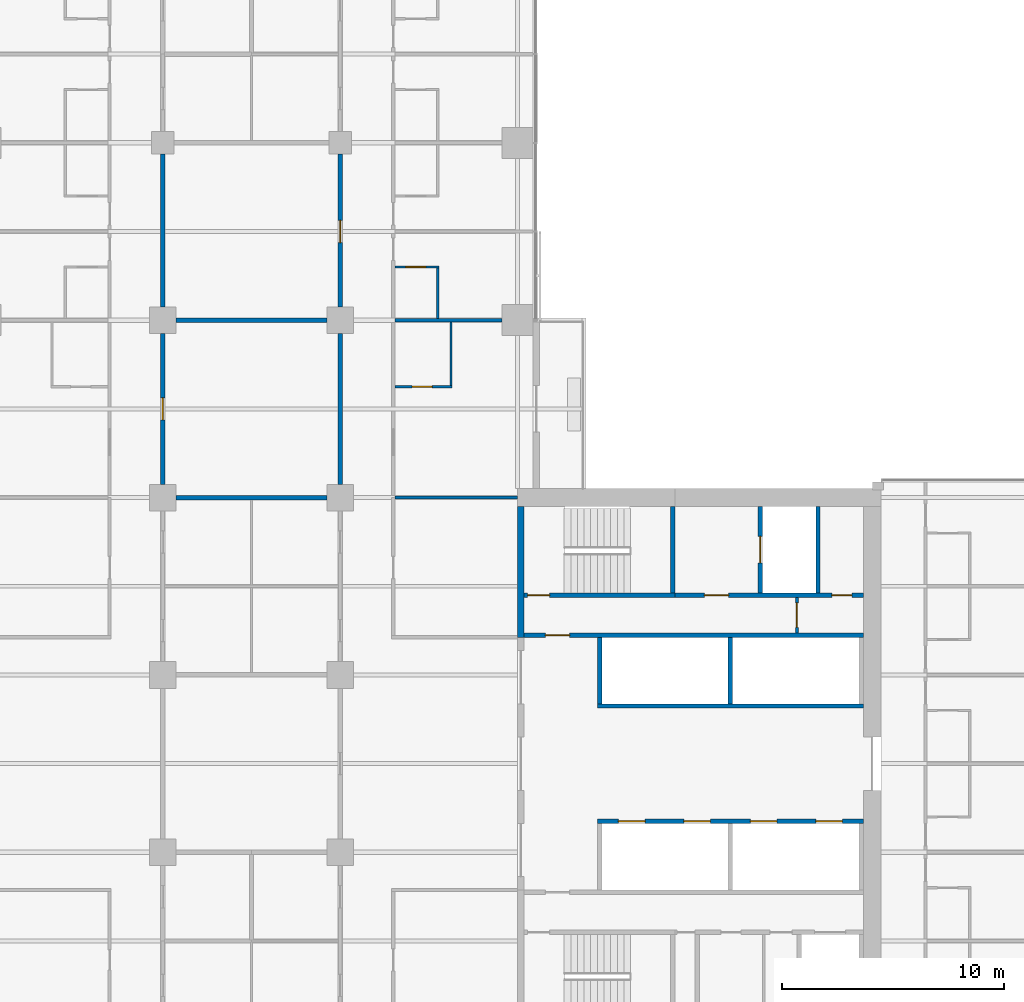
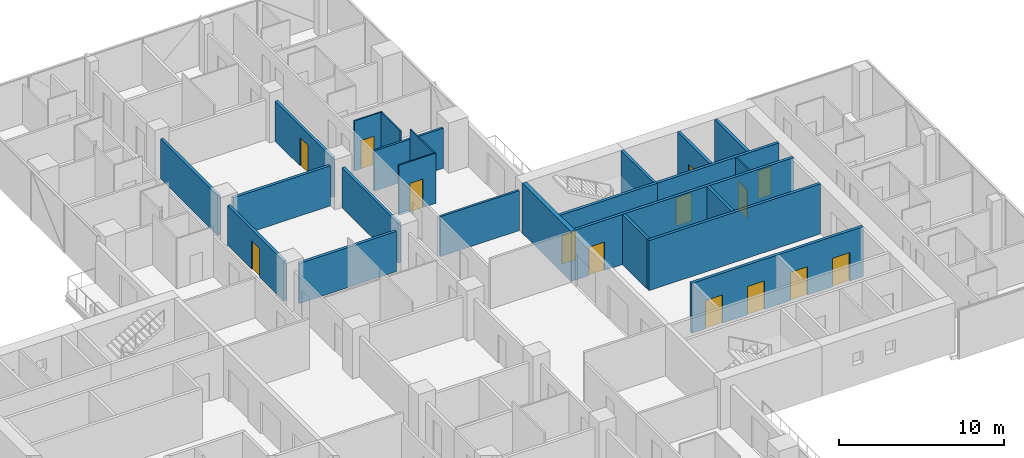
# One storey, part 21 of 29: 24 walls, 14 doors, 14 openings.
"""IFC4 building model written with IfcOpenShell, lengths in metres."""

from ifc_helpers import new_model, si_unit, direction, frame, frame_2d, origin, place, context, subcontext, project, spatial, rectangle, extrude, material, layer, layer_set, type_object, element, fill, save


model = new_model("IFC4")

# Units and contexts
model_context = context("Model", 3, precision=1e-05, world=origin(), true_north=direction((0.0, 1.0)))
body_context = subcontext(model_context, "Body", "Model", "MODEL_VIEW")
ifc_project = project(units=[si_unit("LENGTHUNIT", "METRE"), si_unit("AREAUNIT", "SQUARE_METRE"), si_unit("VOLUMEUNIT", "CUBIC_METRE"), si_unit("PLANEANGLEUNIT", "RADIAN"), si_unit("MASSUNIT", "GRAM", prefix="KILO")], contexts=[model_context])

# Site, building, storey
site_placement = place(None, origin())
site = spatial("IfcSite", under=ifc_project, at=site_placement, CompositionType="ELEMENT")
building_placement = place(site_placement, origin())
building = spatial("IfcBuilding", under=site, at=building_placement, Name="Crosswind Convention Tower", CompositionType="ELEMENT")
storey_placement = place(building_placement, frame((0.0, 0.0, 53.5)))
storey = spatial("IfcBuildingStorey", under=building, at=storey_placement, Name="L07", CompositionType="ELEMENT", Elevation=53.5)

# Walls
ifc_material_1 = material(Name="Concrete C50/60", Category="concrete")
ifc_layer_1 = layer(ifc_material_1, 0.300048828125)
ifc_layer_set_1 = layer_set([ifc_layer_1], Name="Concrete C50/60")
wall_type_1 = type_object("IfcWallType", Name="Concrete inner core wall 300", PredefinedType="SHEAR", material=ifc_layer_set_1)
wall_1_placement = place(storey_placement, frame((137.14990234375, 105.699951171875, 0.0), z_axis=(0.0, 0.0, 1.0), x_axis=(0.0, 1.0, 0.0)))
element("IfcWall", 1, at=wall_1_placement, inside=storey, type_object=wall_type_1, Name="Wall EP E L07", PredefinedType="SHEAR", context=body_context, shape_type="SweptSolid", body=[
    extrude(rectangle(XDim=5.900146484375, YDim=0.300048828125, at=frame_2d((2.9501953125, 0.0))), origin(), (0.0, 0.0, 1.0), 3.699951171875),
])
ifc_layer_2 = layer(ifc_material_1, 0.199951171875)
ifc_layer_set_2 = layer_set([ifc_layer_2], Name="Concrete C50/60")
wall_type_2 = type_object("IfcWallType", Name="Concrete shaft and stair wall 200", PredefinedType="SHEAR", material=ifc_layer_set_2)
for number, where, z_axis, x_axis, name in (
    (2, (140.699951171875, 102.699951171875, 0.0), (0.0, 0.0, 1.0), (0.0, 1.0, 0.0), "Wall RPEND E L07"),
    (3, (146.60009765625, 102.699951171875, 0.0), (0.0, 0.0, 1.0), (0.0, 1.0, 0.0), "Wall RPSEP E L07"),
):
    element("IfcWall", number, at=place(storey_placement, frame(where, z_axis=z_axis, x_axis=x_axis)), inside=storey, type_object=wall_type_2, Name=name, PredefinedType="SHEAR", context=body_context, shape_type="SweptSolid", body=[
        extrude(rectangle(XDim=3.0, YDim=0.199951171875, at=frame_2d((1.5, 0.0))), origin(), (0.0, 0.0, 1.0), 3.699951171875),
    ])
wall_2_placement = place(storey_placement, frame((140.60009765625, 102.60009765625, 0.0), z_axis=(0.0, 0.0, 1.0), x_axis=(1.0, 0.0, 0.0)))
element("IfcWall", 4, at=wall_2_placement, inside=storey, type_object=wall_type_2, Name="Wall RPFRONT E L07", PredefinedType="SHEAR", context=body_context, shape_type="SweptSolid", body=[
    extrude(rectangle(XDim=12.0, YDim=0.199951171875, at=frame_2d((6.0, 0.0))), origin(), (0.0, 0.0, 1.0), 3.699951171875),
])

# Wall, openings, doors
wall_3_placement = place(storey_placement, frame((140.60009765625, 97.39990234375, 0.0), z_axis=(0.0, 0.0, 1.0), x_axis=(1.0, 0.0, 0.0)))
wall_3 = element("IfcWall", 5, at=wall_3_placement, inside=storey, type_object=wall_type_2, Name="Wall RMFRONT E L07", PredefinedType="SHEAR", context=body_context, shape_type="SweptSolid", body=[
    extrude(rectangle(XDim=12.0, YDim=0.199951171875, at=frame_2d((6.0, 0.0))), origin(), (0.0, 0.0, 1.0), 3.699951171875),
])
opening_1_placement = place(wall_3_placement, frame((0.949951171875, 0.0, 0.0)))
opening_1 = element("IfcOpeningElement", 6, at=opening_1_placement, cuts=wall_3, Name="Opening LD1", PredefinedType="OPENING", context=body_context, shape_type="SweptSolid", body=[
    extrude(rectangle(XDim=1.199951171875, YDim=2.10009765625, at=frame_2d((0.60009765625, 1.050048828125))), frame((0.0, 0.10986328125, 0.0), z_axis=(0.0, -1.0, 0.0), x_axis=(1.0, 0.0, 0.0)), (0.0, 0.0, 1.0), 0.219970703125),
])
opening_2_placement = place(wall_3_placement, frame((3.89990234375, 0.0, 0.0)))
opening_2 = element("IfcOpeningElement", 7, at=opening_2_placement, cuts=wall_3, Name="Opening LD1", PredefinedType="OPENING", context=body_context, shape_type="SweptSolid", body=[
    extrude(rectangle(XDim=1.199951171875, YDim=2.10009765625, at=frame_2d((0.60009765625, 1.050048828125))), frame((0.0, 0.10986328125, 0.0), z_axis=(0.0, -1.0, 0.0), x_axis=(1.0, 0.0, 0.0)), (0.0, 0.0, 1.0), 0.219970703125),
])
opening_3_placement = place(wall_3_placement, frame((6.89990234375, 0.0, 0.0)))
opening_3 = element("IfcOpeningElement", 8, at=opening_3_placement, cuts=wall_3, Name="Opening LD1", PredefinedType="OPENING", context=body_context, shape_type="SweptSolid", body=[
    extrude(rectangle(XDim=1.199951171875, YDim=2.10009765625, at=frame_2d((0.60009765625, 1.050048828125))), frame((0.0, 0.10986328125, 0.0), z_axis=(0.0, -1.0, 0.0), x_axis=(1.0, 0.0, 0.0)), (0.0, 0.0, 1.0), 0.219970703125),
])
opening_4_placement = place(wall_3_placement, frame((9.85009765625, 0.0, 0.0)))
opening_4 = element("IfcOpeningElement", 9, at=opening_4_placement, cuts=wall_3, Name="Opening LD1", PredefinedType="OPENING", context=body_context, shape_type="SweptSolid", body=[
    extrude(rectangle(XDim=1.199951171875, YDim=2.10009765625, at=frame_2d((0.60009765625, 1.050048828125))), frame((0.0, 0.10986328125, 0.0), z_axis=(0.0, -1.0, 0.0), x_axis=(1.0, 0.0, 0.0)), (0.0, 0.0, 1.0), 0.219970703125),
])
ifc_material_2 = material(Name="Stainless steel", Category="steel")
door_type_1 = type_object("IfcDoorType", Name="Lift landing door 1200x2100", OperationType="DOUBLE_DOOR_SLIDING", PredefinedType="DOOR", material=ifc_material_2)
door_1_placement = place(opening_1_placement, origin())
door_1 = element("IfcDoor", 10, at=door_1_placement, inside=storey, type_object=door_type_1, Name="Landing door H1 L07", ObjectType="LD1", OperationType="DOUBLE_DOOR_SLIDING", OverallHeight=2.10009765625, OverallWidth=1.199951171875, PredefinedType="DOOR", context=body_context, shape_type="SweptSolid", body=[
    extrude(rectangle(XDim=1.199951171875, YDim=2.10009765625, at=frame_2d((0.60009765625, 1.050048828125))), frame((0.0, 0.02490234375, 0.0), z_axis=(0.0, -1.0, 0.0), x_axis=(1.0, 0.0, 0.0)), (0.0, 0.0, 1.0), 0.050048828125),
])
fill(opening_1, door_1)
door_2_placement = place(opening_2_placement, origin())
door_2 = element("IfcDoor", 11, at=door_2_placement, inside=storey, type_object=door_type_1, Name="Landing door H2 L07", ObjectType="LD1", OperationType="DOUBLE_DOOR_SLIDING", OverallHeight=2.10009765625, OverallWidth=1.199951171875, PredefinedType="DOOR", context=body_context, shape_type="SweptSolid", body=[
    extrude(rectangle(XDim=1.199951171875, YDim=2.10009765625, at=frame_2d((0.60009765625, 1.050048828125))), frame((0.0, 0.02490234375, 0.0), z_axis=(0.0, -1.0, 0.0), x_axis=(1.0, 0.0, 0.0)), (0.0, 0.0, 1.0), 0.050048828125),
])
fill(opening_2, door_2)
door_3_placement = place(opening_3_placement, origin())
door_3 = element("IfcDoor", 12, at=door_3_placement, inside=storey, type_object=door_type_1, Name="Landing door H3 L07", ObjectType="LD1", OperationType="DOUBLE_DOOR_SLIDING", OverallHeight=2.10009765625, OverallWidth=1.199951171875, PredefinedType="DOOR", context=body_context, shape_type="SweptSolid", body=[
    extrude(rectangle(XDim=1.199951171875, YDim=2.10009765625, at=frame_2d((0.60009765625, 1.050048828125))), frame((0.0, 0.02490234375, 0.0), z_axis=(0.0, -1.0, 0.0), x_axis=(1.0, 0.0, 0.0)), (0.0, 0.0, 1.0), 0.050048828125),
])
fill(opening_3, door_3)
door_4_placement = place(opening_4_placement, origin())
door_4 = element("IfcDoor", 13, at=door_4_placement, inside=storey, type_object=door_type_1, Name="Landing door H4 L07", ObjectType="LD1", OperationType="DOUBLE_DOOR_SLIDING", OverallHeight=2.10009765625, OverallWidth=1.199951171875, PredefinedType="DOOR", context=body_context, shape_type="SweptSolid", body=[
    extrude(rectangle(XDim=1.199951171875, YDim=2.10009765625, at=frame_2d((0.60009765625, 1.050048828125))), frame((0.0, 0.02490234375, 0.0), z_axis=(0.0, -1.0, 0.0), x_axis=(1.0, 0.0, 0.0)), (0.0, 0.0, 1.0), 0.050048828125),
])
fill(opening_4, door_4)

# Wall, opening, door
wall_4_placement = place(storey_placement, frame((137.300048828125, 105.800048828125, 0.0), z_axis=(0.0, 0.0, 1.0), x_axis=(1.0, 0.0, 0.0)))
wall_4 = element("IfcWall", 14, at=wall_4_placement, inside=storey, type_object=wall_type_2, Name="Wall HP E L07", PredefinedType="SHEAR", context=body_context, shape_type="SweptSolid", body=[
    extrude(rectangle(XDim=15.300048828125, YDim=0.199951171875, at=frame_2d((7.64990234375, 0.0))), origin(), (0.0, 0.0, 1.0), 3.699951171875),
])
opening_5_placement = place(wall_4_placement, frame((0.949951171875, 0.0, 0.0)))
opening_5 = element("IfcOpeningElement", 15, at=opening_5_placement, cuts=wall_4, Name="Opening D104", PredefinedType="OPENING", context=body_context, shape_type="SweptSolid", body=[
    extrude(rectangle(XDim=1.10009765625, YDim=2.10009765625, at=frame_2d((0.550048828125, 1.050048828125))), frame((0.0, 0.10986328125, 0.0), z_axis=(0.0, -1.0, 0.0), x_axis=(1.0, 0.0, 0.0)), (0.0, 0.0, 1.0), 0.219970703125),
])
ifc_material_3 = material(Name="Steel fire door", Category="steel")
door_type_2 = type_object("IfcDoorType", Name="Fire-rated single door 1100x2100", OperationType="NOTDEFINED", PredefinedType="DOOR", material=ifc_material_3)
door_5_placement = place(opening_5_placement, origin())
door_5 = element("IfcDoor", 16, at=door_5_placement, inside=storey, type_object=door_type_2, Name="Corridor door L07", ObjectType="D104", OperationType="SINGLE_SWING_LEFT", OverallHeight=2.10009765625, OverallWidth=1.10009765625, PredefinedType="DOOR", context=body_context, shape_type="SweptSolid", body=[
    extrude(rectangle(XDim=1.10009765625, YDim=2.10009765625, at=frame_2d((0.550048828125, 1.050048828125))), frame((0.0, 0.02490234375, 0.0), z_axis=(0.0, -1.0, 0.0), x_axis=(1.0, 0.0, 0.0)), (0.0, 0.0, 1.0), 0.050048828125),
])
fill(opening_5, door_5)

# Wall
wall_5_placement = place(storey_placement, frame((144.0, 107.699951171875, 0.0), z_axis=(0.0, 0.0, 1.0), x_axis=(0.0, 1.0, 0.0)))
element("IfcWall", 17, at=wall_5_placement, inside=storey, type_object=wall_type_2, Name="Wall PSE E L07", PredefinedType="SHEAR", context=body_context, shape_type="SweptSolid", body=[
    extrude(rectangle(XDim=3.900146484375, YDim=0.199951171875, at=frame_2d((1.9501953125, 0.0))), origin(), (0.0, 0.0, 1.0), 3.699951171875),
])

# Wall, opening, door
wall_6_placement = place(storey_placement, frame((147.949951171875, 107.699951171875, 0.0), z_axis=(0.0, 0.0, 1.0), x_axis=(0.0, 1.0, 0.0)))
wall_6 = element("IfcWall", 18, at=wall_6_placement, inside=storey, type_object=wall_type_2, Name="Wall PFLW E L07", PredefinedType="SHEAR", context=body_context, shape_type="SweptSolid", body=[
    extrude(rectangle(XDim=3.900146484375, YDim=0.199951171875, at=frame_2d((1.9501953125, 0.0))), origin(), (0.0, 0.0, 1.0), 3.699951171875),
])
opening_6_placement = place(wall_6_placement, frame((1.35009765625, 0.0, 0.0)))
opening_6 = element("IfcOpeningElement", 19, at=opening_6_placement, cuts=wall_6, Name="Opening LD1", PredefinedType="OPENING", context=body_context, shape_type="SweptSolid", body=[
    extrude(rectangle(XDim=1.199951171875, YDim=2.10009765625, at=frame_2d((0.60009765625, 1.050048828125))), frame((0.0, 0.10986328125, 0.0), z_axis=(0.0, -1.0, 0.0), x_axis=(1.0, 0.0, 0.0)), (0.0, 0.0, 1.0), 0.219970703125),
])
door_6_placement = place(opening_6_placement, origin())
door_6 = element("IfcDoor", 20, at=door_6_placement, inside=storey, type_object=door_type_1, Name="Landing door FF1 L07", ObjectType="LD1", OperationType="DOUBLE_DOOR_SLIDING", OverallHeight=2.10009765625, OverallWidth=1.199951171875, PredefinedType="DOOR", context=body_context, shape_type="SweptSolid", body=[
    extrude(rectangle(XDim=1.199951171875, YDim=2.10009765625, at=frame_2d((0.60009765625, 1.050048828125))), frame((0.0, 0.02490234375, 0.0), z_axis=(0.0, -1.0, 0.0), x_axis=(1.0, 0.0, 0.0)), (0.0, 0.0, 1.0), 0.050048828125),
])
fill(opening_6, door_6)

# Wall
wall_7_placement = place(storey_placement, frame((150.550048828125, 107.699951171875, 0.0), z_axis=(0.0, 0.0, 1.0), x_axis=(0.0, 1.0, 0.0)))
element("IfcWall", 21, at=wall_7_placement, inside=storey, type_object=wall_type_2, Name="Wall PFSE E L07", PredefinedType="SHEAR", context=body_context, shape_type="SweptSolid", body=[
    extrude(rectangle(XDim=3.900146484375, YDim=0.199951171875, at=frame_2d((1.9501953125, 0.0))), origin(), (0.0, 0.0, 1.0), 3.699951171875),
])

# Wall, opening, door
wall_8_placement = place(storey_placement, frame((137.300048828125, 107.60009765625, 0.0), z_axis=(0.0, 0.0, 1.0), x_axis=(1.0, 0.0, 0.0)))
wall_8 = element("IfcWall", 22, at=wall_8_placement, inside=storey, type_object=wall_type_2, Name="Wall PCW E L07", PredefinedType="SHEAR", context=body_context, shape_type="SweptSolid", body=[
    extrude(rectangle(XDim=6.800048828125, YDim=0.199951171875, at=frame_2d((3.39990234375, 0.0))), origin(), (0.0, 0.0, 1.0), 3.699951171875),
])
opening_7_placement = place(wall_8_placement, frame((0.14990234375, 0.0, 0.0)))
opening_7 = element("IfcOpeningElement", 23, at=opening_7_placement, cuts=wall_8, Name="Opening D103", PredefinedType="OPENING", context=body_context, shape_type="SweptSolid", body=[
    extrude(rectangle(XDim=1.0, YDim=2.10009765625, at=frame_2d((0.5, 1.050048828125))), frame((0.0, 0.10986328125, 0.0), z_axis=(0.0, -1.0, 0.0), x_axis=(1.0, 0.0, 0.0)), (0.0, 0.0, 1.0), 0.219970703125),
])
door_type_3 = type_object("IfcDoorType", Name="Fire-rated single door 1000x2100", OperationType="NOTDEFINED", PredefinedType="DOOR", material=ifc_material_3)
door_7_placement = place(opening_7_placement, origin())
door_7 = element("IfcDoor", 24, at=door_7_placement, inside=storey, type_object=door_type_3, Name="Stair ST1 door L07", ObjectType="D103", OperationType="SINGLE_SWING_LEFT", OverallHeight=2.10009765625, OverallWidth=1.0, PredefinedType="DOOR", context=body_context, shape_type="SweptSolid", body=[
    extrude(rectangle(XDim=1.0, YDim=2.10009765625, at=frame_2d((0.5, 1.050048828125))), frame((0.0, 0.02490234375, 0.0), z_axis=(0.0, -1.0, 0.0), x_axis=(1.0, 0.0, 0.0)), (0.0, 0.0, 1.0), 0.050048828125),
])
fill(opening_7, door_7)

# Wall, openings, doors
wall_9_placement = place(storey_placement, frame((144.10009765625, 107.60009765625, 0.0), z_axis=(0.0, 0.0, 1.0), x_axis=(1.0, 0.0, 0.0)))
wall_9 = element("IfcWall", 25, at=wall_9_placement, inside=storey, type_object=wall_type_2, Name="Wall PCX E L07", PredefinedType="SHEAR", context=body_context, shape_type="SweptSolid", body=[
    extrude(rectangle(XDim=8.5, YDim=0.199951171875, at=frame_2d((4.25, 0.0))), origin(), (0.0, 0.0, 1.0), 3.699951171875),
])
opening_8_placement = place(wall_9_placement, frame((1.324951171875, 0.0, 0.0)))
opening_8 = element("IfcOpeningElement", 26, at=opening_8_placement, cuts=wall_9, Name="Opening D104", PredefinedType="OPENING", context=body_context, shape_type="SweptSolid", body=[
    extrude(rectangle(XDim=1.10009765625, YDim=2.10009765625, at=frame_2d((0.550048828125, 1.050048828125))), frame((0.0, 0.10986328125, 0.0), z_axis=(0.0, -1.0, 0.0), x_axis=(1.0, 0.0, 0.0)), (0.0, 0.0, 1.0), 0.219970703125),
])
opening_9_placement = place(wall_9_placement, frame((7.074951171875, 0.0, 0.0)))
opening_9 = element("IfcOpeningElement", 27, at=opening_9_placement, cuts=wall_9, Name="Opening D106", PredefinedType="OPENING", context=body_context, shape_type="SweptSolid", body=[
    extrude(rectangle(XDim=0.89990234375, YDim=2.10009765625, at=frame_2d((0.449951171875, 1.050048828125))), frame((0.0, 0.10986328125, 0.0), z_axis=(0.0, -1.0, 0.0), x_axis=(1.0, 0.0, 0.0)), (0.0, 0.0, 1.0), 0.219970703125),
])
door_8_placement = place(opening_8_placement, origin())
door_8 = element("IfcDoor", 28, at=door_8_placement, inside=storey, type_object=door_type_2, Name="Fire-fighting lobby FF1 door L07", ObjectType="D104", OperationType="SINGLE_SWING_RIGHT", OverallHeight=2.10009765625, OverallWidth=1.10009765625, PredefinedType="DOOR", context=body_context, shape_type="SweptSolid", body=[
    extrude(rectangle(XDim=1.10009765625, YDim=2.10009765625, at=frame_2d((0.550048828125, 1.050048828125))), frame((0.0, 0.02490234375, 0.0), z_axis=(0.0, -1.0, 0.0), x_axis=(1.0, 0.0, 0.0)), (0.0, 0.0, 1.0), 0.050048828125),
])
fill(opening_8, door_8)
ifc_material_4 = material(Name="Timber door", Category="wood")
door_type_4 = type_object("IfcDoorType", Name="Single leaf door 900x2100", OperationType="NOTDEFINED", PredefinedType="DOOR", material=ifc_material_4)
door_9_placement = place(opening_9_placement, origin())
door_9 = element("IfcDoor", 29, at=door_9_placement, inside=storey, type_object=door_type_4, Name="Door to telecoms room L07", ObjectType="D106", OperationType="SINGLE_SWING_RIGHT", OverallHeight=2.10009765625, OverallWidth=0.89990234375, PredefinedType="DOOR", context=body_context, shape_type="SweptSolid", body=[
    extrude(rectangle(XDim=0.89990234375, YDim=2.10009765625, at=frame_2d((0.449951171875, 1.050048828125))), frame((0.0, 0.02490234375, 0.0), z_axis=(0.0, -1.0, 0.0), x_axis=(1.0, 0.0, 0.0)), (0.0, 0.0, 1.0), 0.050048828125),
])
fill(opening_9, door_9)

# Wall, opening, door
ifc_material_5 = material(Name="Gypsum plasterboard partition", Category="gypsum")
ifc_layer_3 = layer(ifc_material_5, 0.125)
ifc_layer_set_3 = layer_set([ifc_layer_3], Name="Drywall partition wall 125")
wall_type_3 = type_object("IfcWallType", Name="Drywall partition wall 125", PredefinedType="PARTITIONING", material=ifc_layer_set_3)
wall_10_placement = place(storey_placement, frame((149.60009765625, 105.89990234375, 0.0), z_axis=(0.0, 0.0, 1.0), x_axis=(0.0, 1.0, 0.0)))
wall_10 = element("IfcWall", 30, at=wall_10_placement, inside=storey, type_object=wall_type_3, Name="Wall PXC1 E L07", PredefinedType="PARTITIONING", context=body_context, shape_type="SweptSolid", body=[
    extrude(rectangle(XDim=1.60009765625, YDim=0.125, at=frame_2d((0.800048828125, 0.0))), origin(), (0.0, 0.0, 1.0), 3.699951171875),
])
opening_10_placement = place(wall_10_placement, frame((0.25, 0.0, 0.0)))
opening_10 = element("IfcOpeningElement", 31, at=opening_10_placement, cuts=wall_10, Name="Opening D104", PredefinedType="OPENING", context=body_context, shape_type="SweptSolid", body=[
    extrude(rectangle(XDim=1.10009765625, YDim=2.10009765625, at=frame_2d((0.550048828125, 1.050048828125))), frame((0.0, 0.072509765625, 0.0), z_axis=(0.0, -1.0, 0.0), x_axis=(1.0, 0.0, 0.0)), (0.0, 0.0, 1.0), 0.14501953125),
])
door_10_placement = place(opening_10_placement, origin())
door_10 = element("IfcDoor", 32, at=door_10_placement, inside=storey, type_object=door_type_2, Name="Corridor smoke door L07", ObjectType="D104", OperationType="SINGLE_SWING_RIGHT", OverallHeight=2.10009765625, OverallWidth=1.10009765625, PredefinedType="DOOR", context=body_context, shape_type="SweptSolid", body=[
    extrude(rectangle(XDim=1.10009765625, YDim=2.10009765625, at=frame_2d((0.550048828125, 1.050048828125))), frame((0.0, 0.02490234375, 0.0), z_axis=(0.0, -1.0, 0.0), x_axis=(1.0, 0.0, 0.0)), (0.0, 0.0, 1.0), 0.050048828125),
])
fill(opening_10, door_10)

# Walls
ifc_material_6 = material(Name="Acoustic plasterboard partition", Category="gypsum")
ifc_layer_4 = layer(ifc_material_6, 0.14990234375)
ifc_layer_set_4 = layer_set([ifc_layer_4], Name="GUEST ROOM WALL 150")
wall_type_4 = type_object("IfcWallType", Name="GUEST ROOM WALL 150", PredefinedType="PARTITIONING", material=ifc_layer_set_4)
wall_11_placement = place(storey_placement, frame((131.47509765625, 112.0, 0.0), z_axis=(0.0, 0.0, 1.0), x_axis=(1.0, 0.0, 0.0)))
element("IfcWall", 33, at=wall_11_placement, inside=storey, type_object=wall_type_4, Name="Guest Room Wall 63", PredefinedType="PARTITIONING", context=body_context, shape_type="SweptSolid", body=[
    extrude(rectangle(XDim=5.52490234375, YDim=0.14990234375, at=frame_2d((2.762451171875, 0.0))), origin(), (0.0, 0.0, 1.0), 2.956298828125),
])
wall_12_placement = place(storey_placement, frame((131.47509765625, 120.0, 0.0), z_axis=(0.0, 0.0, 1.0), x_axis=(1.0, 0.0, 0.0)))
element("IfcWall", 34, at=wall_12_placement, inside=storey, type_object=wall_type_4, Name="Guest Room Wall 68", PredefinedType="PARTITIONING", context=body_context, shape_type="SweptSolid", body=[
    extrude(rectangle(XDim=4.824951171875, YDim=0.14990234375, at=frame_2d((2.41259765625, 0.0))), origin(), (0.0, 0.0, 1.0), 2.959716796875),
])
ifc_material_7 = material(Name="Double plasterboard partition", Category="gypsum")
ifc_layer_5 = layer(ifc_material_7, 0.199951171875)
ifc_layer_set_5 = layer_set([ifc_layer_5], Name="HALL WALL 200")
wall_type_5 = type_object("IfcWallType", Name="HALL WALL 200", PredefinedType="PARTITIONING", material=ifc_layer_set_5)
for number, where, z_axis, x_axis, name in (
    (35, (121.60009765625, 112.0, 0.0), (0.0, 0.0, 1.0), (1.0, 0.0, 0.0), "Hall Wall 62"),
    (36, (121.60009765625, 120.0, 0.0), (0.0, 0.0, 1.0), (1.0, 0.0, 0.0), "Hall Wall 67"),
):
    element("IfcWall", number, at=place(storey_placement, frame(where, z_axis=z_axis, x_axis=x_axis)), inside=storey, type_object=wall_type_5, Name=name, PredefinedType="PARTITIONING", context=body_context, shape_type="SweptSolid", body=[
        extrude(rectangle(XDim=6.7998046875, YDim=0.199951171875, at=frame_2d((3.39990234375, 0.0))), origin(), (0.0, 0.0, 1.0), 2.959716796875),
    ])

# Wall, opening, door
wall_13_placement = place(storey_placement, frame((121.0, 112.60009765625, 0.0), z_axis=(0.0, 0.0, 1.0), x_axis=(0.0, 1.0, 0.0)))
wall_13 = element("IfcWall", 37, at=wall_13_placement, inside=storey, type_object=wall_type_5, Name="Hall Wall 115", PredefinedType="PARTITIONING", context=body_context, shape_type="SweptSolid", body=[
    extrude(rectangle(XDim=6.7998046875, YDim=0.199951171875, at=frame_2d((3.39990234375, 0.0))), origin(), (0.0, 0.0, 1.0), 2.959716796875),
])
opening_11_placement = place(wall_13_placement, frame((2.89990234375, 0.0, 0.0)))
opening_11 = element("IfcOpeningElement", 38, at=opening_11_placement, cuts=wall_13, Name="Opening 07.084", PredefinedType="OPENING", context=body_context, shape_type="SweptSolid", body=[
    extrude(rectangle(XDim=1.0, YDim=2.10009765625, at=frame_2d((0.5, 1.050048828125))), frame((0.0, 0.10986328125, 0.0), z_axis=(0.0, -1.0, 0.0), x_axis=(1.0, 0.0, 0.0)), (0.0, 0.0, 1.0), 0.219970703125),
])
ifc_material_8 = material(Name="Timber fire door", Category="wood")
door_type_5 = type_object("IfcDoorType", Name="MEETING ROOM DOOR 1000X2100", OperationType="NOTDEFINED", PredefinedType="DOOR", material=ifc_material_8)
door_11_placement = place(opening_11_placement, origin())
door_11 = element("IfcDoor", 39, at=door_11_placement, inside=storey, type_object=door_type_5, Name="Door 07.084", ObjectType="D13", OperationType="SINGLE_SWING_RIGHT", OverallHeight=2.10009765625, OverallWidth=1.0, PredefinedType="DOOR", context=body_context, shape_type="SweptSolid", body=[
    extrude(rectangle(XDim=1.0, YDim=2.10009765625, at=frame_2d((0.5, 1.050048828125))), frame((0.0, 0.02490234375, 0.0), z_axis=(0.0, -1.0, 0.0), x_axis=(1.0, 0.0, 0.0)), (0.0, 0.0, 1.0), 0.050048828125),
])
fill(opening_11, door_11)

# Walls
wall_14_placement = place(storey_placement, frame((121.0, 120.60009765625, 0.0), z_axis=(0.0, 0.0, 1.0), x_axis=(0.0, 1.0, 0.0)))
element("IfcWall", 40, at=wall_14_placement, inside=storey, type_object=wall_type_5, Name="Hall Wall 116", PredefinedType="PARTITIONING", context=body_context, shape_type="SweptSolid", body=[
    extrude(rectangle(XDim=6.89990234375, YDim=0.199951171875, at=frame_2d((3.449951171875, 0.0))), origin(), (0.0, 0.0, 1.0), 2.959716796875),
])
wall_15_placement = place(storey_placement, frame((129.0, 112.60009765625, 0.0), z_axis=(0.0, 0.0, 1.0), x_axis=(0.0, 1.0, 0.0)))
element("IfcWall", 41, at=wall_15_placement, inside=storey, type_object=wall_type_5, Name="Hall Wall 135", PredefinedType="PARTITIONING", context=body_context, shape_type="SweptSolid", body=[
    extrude(rectangle(XDim=6.7998046875, YDim=0.199951171875, at=frame_2d((3.39990234375, 0.0))), origin(), (0.0, 0.0, 1.0), 2.959716796875),
])

# Wall, opening, door
wall_16_placement = place(storey_placement, frame((129.0, 120.60009765625, 0.0), z_axis=(0.0, 0.0, 1.0), x_axis=(0.0, 1.0, 0.0)))
wall_16 = element("IfcWall", 42, at=wall_16_placement, inside=storey, type_object=wall_type_5, Name="Hall Wall 136", PredefinedType="PARTITIONING", context=body_context, shape_type="SweptSolid", body=[
    extrude(rectangle(XDim=6.89990234375, YDim=0.199951171875, at=frame_2d((3.449951171875, 0.0))), origin(), (0.0, 0.0, 1.0), 2.959716796875),
])
opening_12_placement = place(wall_16_placement, frame((2.89990234375, 0.0, 0.0)))
opening_12 = element("IfcOpeningElement", 43, at=opening_12_placement, cuts=wall_16, Name="Opening 07.085", PredefinedType="OPENING", context=body_context, shape_type="SweptSolid", body=[
    extrude(rectangle(XDim=1.0, YDim=2.10009765625, at=frame_2d((0.5, 1.050048828125))), frame((0.0, 0.10986328125, 0.0), z_axis=(0.0, -1.0, 0.0), x_axis=(1.0, 0.0, 0.0)), (0.0, 0.0, 1.0), 0.219970703125),
])
door_12_placement = place(opening_12_placement, frame((1.0, 0.0, 0.0), z_axis=(0.0, 0.0, 1.0), x_axis=(-1.0, 0.0, 0.0)))
door_12 = element("IfcDoor", 44, at=door_12_placement, inside=storey, type_object=door_type_5, Name="Door 07.085", ObjectType="D13", OperationType="SINGLE_SWING_RIGHT", OverallHeight=2.10009765625, OverallWidth=1.0, PredefinedType="DOOR", context=body_context, shape_type="SweptSolid", body=[
    extrude(rectangle(XDim=1.0, YDim=2.10009765625, at=frame_2d((0.5, 1.050048828125))), frame((0.0, 0.02490234375, 0.0), z_axis=(0.0, -1.0, 0.0), x_axis=(1.0, 0.0, 0.0)), (0.0, 0.0, 1.0), 0.050048828125),
])
fill(opening_12, door_12)

ifc_material_9 = material(Name="Water-resistant plasterboard partition", Category="gypsum")
ifc_layer_6 = layer(ifc_material_9, 0.10009765625)
ifc_layer_set_6 = layer_set([ifc_layer_6], Name="WET ROOM PARTITION 100")
wall_type_6 = type_object("IfcWallType", Name="WET ROOM PARTITION 100", PredefinedType="PLUMBINGWALL", material=ifc_layer_set_6)
wall_17_placement = place(storey_placement, frame((131.47509765625, 117.0, 0.0), z_axis=(0.0, 0.0, 1.0), x_axis=(1.0, 0.0, 0.0)))
wall_17 = element("IfcWall", 45, at=wall_17_placement, inside=storey, type_object=wall_type_6, Name="Wet Room Partition 65", PredefinedType="PLUMBINGWALL", context=body_context, shape_type="SweptSolid", body=[
    extrude(rectangle(XDim=2.574951171875, YDim=0.10009765625, at=frame_2d((1.28759765625, 0.0))), origin(), (0.0, 0.0, 1.0), 3.699951171875),
])
opening_13_placement = place(wall_17_placement, frame((0.77490234375, 0.0, 0.0)))
opening_13 = element("IfcOpeningElement", 46, at=opening_13_placement, cuts=wall_17, Name="Opening 07.006", PredefinedType="OPENING", context=body_context, shape_type="SweptSolid", body=[
    extrude(rectangle(XDim=0.89990234375, YDim=2.10009765625, at=frame_2d((0.449951171875, 1.050048828125))), frame((0.0, 0.06005859375, 0.0), z_axis=(0.0, -1.0, 0.0), x_axis=(1.0, 0.0, 0.0)), (0.0, 0.0, 1.0), 0.1201171875),
])
door_type_6 = type_object("IfcDoorType", Name="EN-SUITE DOOR 900X2100", OperationType="NOTDEFINED", PredefinedType="DOOR", material=ifc_material_4)
door_13_placement = place(opening_13_placement, origin())
door_13 = element("IfcDoor", 47, at=door_13_placement, inside=storey, type_object=door_type_6, Name="Door 07.006", ObjectType="D2", OperationType="SINGLE_SWING_RIGHT", OverallHeight=2.10009765625, OverallWidth=0.89990234375, PredefinedType="DOOR", context=body_context, shape_type="SweptSolid", body=[
    extrude(rectangle(XDim=0.89990234375, YDim=2.10009765625, at=frame_2d((0.449951171875, 1.050048828125))), frame((0.0, 0.02490234375, 0.0), z_axis=(0.0, -1.0, 0.0), x_axis=(1.0, 0.0, 0.0)), (0.0, 0.0, 1.0), 0.050048828125),
])
fill(opening_13, door_13)

wall_18_placement = place(storey_placement, frame((131.47509765625, 122.39990234375, 0.0), z_axis=(0.0, 0.0, 1.0), x_axis=(1.0, 0.0, 0.0)))
wall_18 = element("IfcWall", 48, at=wall_18_placement, inside=storey, type_object=wall_type_6, Name="Wet Room Partition 70", PredefinedType="PLUMBINGWALL", context=body_context, shape_type="SweptSolid", body=[
    extrude(rectangle(XDim=1.974853515625, YDim=0.10009765625, at=frame_2d((0.9873046875, 0.0))), origin(), (0.0, 0.0, 1.0), 3.699951171875),
])
opening_14_placement = place(wall_18_placement, frame((0.47509765625, 0.0, 0.0)))
opening_14 = element("IfcOpeningElement", 49, at=opening_14_placement, cuts=wall_18, Name="Opening 07.008", PredefinedType="OPENING", context=body_context, shape_type="SweptSolid", body=[
    extrude(rectangle(XDim=0.89990234375, YDim=2.10009765625, at=frame_2d((0.449951171875, 1.050048828125))), frame((0.0, 0.06005859375, 0.0), z_axis=(0.0, -1.0, 0.0), x_axis=(1.0, 0.0, 0.0)), (0.0, 0.0, 1.0), 0.1201171875),
])
door_14_placement = place(opening_14_placement, frame((0.89990234375, 0.0, 0.0), z_axis=(0.0, 0.0, 1.0), x_axis=(-1.0, 0.0, 0.0)))
door_14 = element("IfcDoor", 50, at=door_14_placement, inside=storey, type_object=door_type_6, Name="Door 07.008", ObjectType="D2", OperationType="SINGLE_SWING_LEFT", OverallHeight=2.10009765625, OverallWidth=0.89990234375, PredefinedType="DOOR", context=body_context, shape_type="SweptSolid", body=[
    extrude(rectangle(XDim=0.89990234375, YDim=2.10009765625, at=frame_2d((0.449951171875, 1.050048828125))), frame((0.0, 0.02490234375, 0.0), z_axis=(0.0, -1.0, 0.0), x_axis=(1.0, 0.0, 0.0)), (0.0, 0.0, 1.0), 0.050048828125),
])
fill(opening_14, door_14)

# Walls
wall_19_placement = place(storey_placement, frame((133.39990234375, 120.074951171875, 0.0), z_axis=(0.0, 0.0, 1.0), x_axis=(0.0, 1.0, 0.0)))
element("IfcWall", 51, at=wall_19_placement, inside=storey, type_object=wall_type_6, Name="Wet Room Partition 147", PredefinedType="PLUMBINGWALL", context=body_context, shape_type="SweptSolid", body=[
    extrude(rectangle(XDim=2.275146484375, YDim=0.10009765625, at=frame_2d((1.1376953125, 0.0))), origin(), (0.0, 0.0, 1.0), 3.699951171875),
])
wall_20_placement = place(storey_placement, frame((134.0, 117.050048828125, 0.0), z_axis=(0.0, 0.0, 1.0), x_axis=(0.0, 1.0, 0.0)))
element("IfcWall", 52, at=wall_20_placement, inside=storey, type_object=wall_type_6, Name="Wet Room Partition 152", PredefinedType="PLUMBINGWALL", context=body_context, shape_type="SweptSolid", body=[
    extrude(rectangle(XDim=2.875, YDim=0.10009765625, at=frame_2d((1.4375, 0.0))), origin(), (0.0, 0.0, 1.0), 3.699951171875),
])

save(model, "model.ifc")
